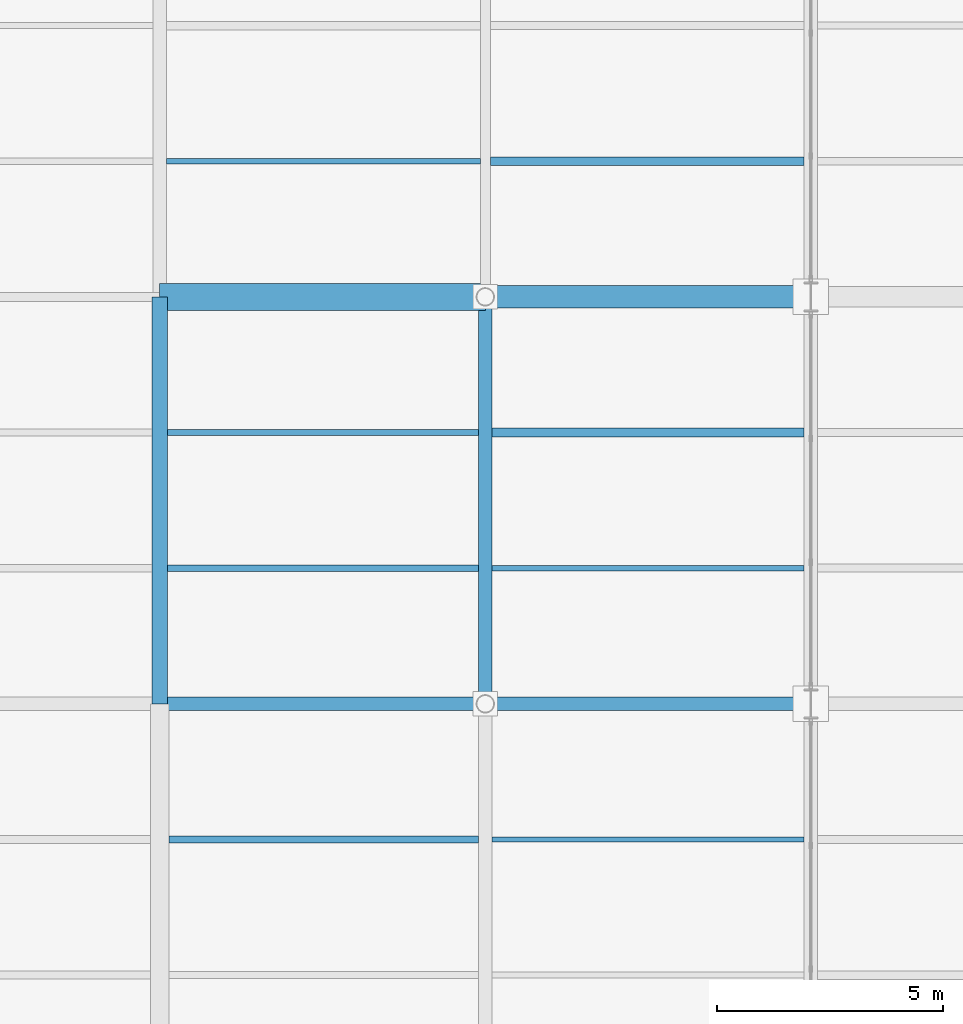
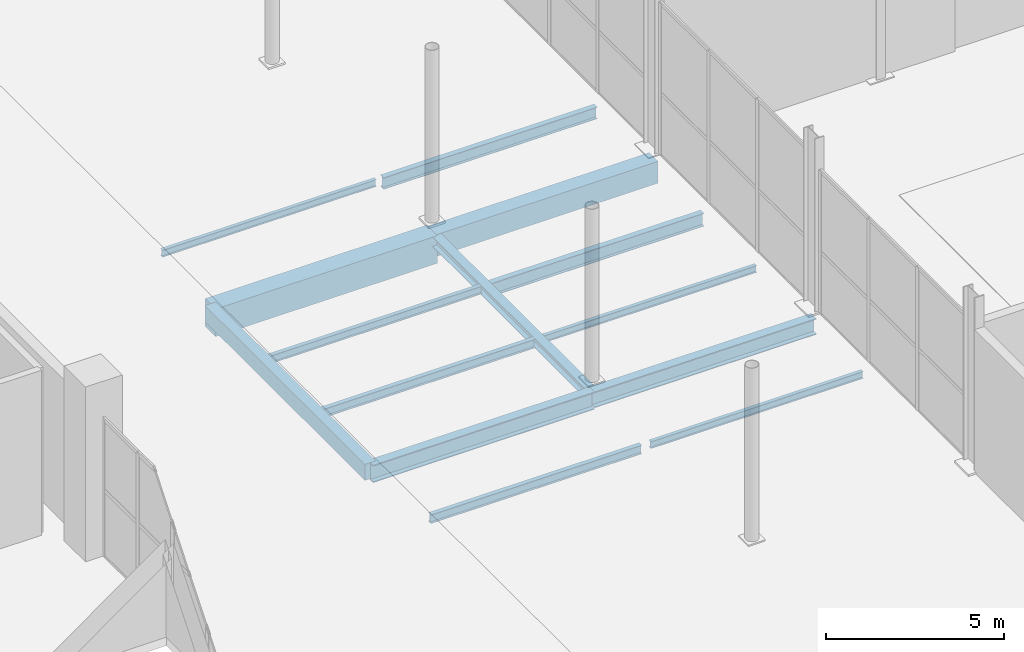
# One storey, part 41 of 144: 14 beams.
"""IFC4 building model written with IfcOpenShell, lengths in metres."""

from ifc_helpers import new_model, si_unit, direction, frame, origin, origin_2d, place, context, subcontext, project, spatial, rectangle, i_section, extrude, material, material_profile, profile_set, type_object, element, save


model = new_model("IFC4")

# Units and contexts
model_context = context("Model", 3, precision=1e-05, world=origin(), true_north=direction((0.0, 1.0)))
body_context = subcontext(model_context, "Body", "Model", "MODEL_VIEW")
ifc_project = project(units=[si_unit("LENGTHUNIT", "METRE"), si_unit("AREAUNIT", "SQUARE_METRE"), si_unit("VOLUMEUNIT", "CUBIC_METRE"), si_unit("PLANEANGLEUNIT", "RADIAN"), si_unit("MASSUNIT", "GRAM", prefix="KILO")], contexts=[model_context])

# Site, building, storey
site_placement = place(None, origin())
site = spatial("IfcSite", under=ifc_project, at=site_placement, CompositionType="ELEMENT")
building_placement = place(site_placement, origin())
building = spatial("IfcBuilding", under=site, at=building_placement, Name="Sundgate Opera House", CompositionType="ELEMENT")
storey_placement = place(building_placement, origin())
storey = spatial("IfcBuildingStorey", under=building, at=storey_placement, Name="L00", CompositionType="ELEMENT", Elevation=0.0)

# Beams
ifc_material_1 = material(Name="Steel S355J2", Category="steel")
ifc_material_profile_1 = material_profile(ifc_material_1, i_section(OverallWidth=0.300048828125, OverallDepth=0.330078125, WebThickness=0.009521484375, FlangeThickness=0.0166015625, at=origin_2d()), Name="HEA 340")
ifc_profile_set_1 = profile_set([ifc_material_profile_1], Name="Steel S355J2")
beam_type_1 = type_object("IfcBeamType", Name="BM-GR-HEA340", PredefinedType="BEAM", material=ifc_profile_set_1)
beam_1_placement = place(storey_placement, frame((88.199951171875, 51.0, -0.485107421875), z_axis=(0.0, 1.0, 0.0), x_axis=(-1.0, 0.0, 0.0)))
element("IfcBeam", 1, at=beam_1_placement, inside=storey, type_object=beam_type_1, Name="L00 Primary N-S Girder B0182", PredefinedType="BEAM", context=body_context, shape_type="SweptSolid", body=[
    extrude(i_section(OverallWidth=0.300048828125, OverallDepth=0.330078125, WebThickness=0.009521484375, FlangeThickness=0.0166015625, at=origin_2d()), origin(), (0.0, 0.0, 1.0), 9.0),
])
ifc_material_2 = material(Name="Steel S355J2", Category="steel")
ifc_material_profile_2 = material_profile(ifc_material_2, i_section(OverallWidth=0.300048828125, OverallDepth=0.550048828125, WebThickness=0.014892578125, FlangeThickness=0.029052734375, at=origin_2d()), Name="HEB 550")
ifc_profile_set_2 = profile_set([ifc_material_profile_2], Name="Steel S355J2")
beam_type_2 = type_object("IfcBeamType", Name="BM-GR-HEB550", PredefinedType="BEAM", material=ifc_profile_set_2)
beam_2_placement = place(storey_placement, frame((88.199951171875, 51.0, -0.594970703125), z_axis=(1.0, 0.0, 0.0), x_axis=(0.0, 1.0, 0.0)))
element("IfcBeam", 2, at=beam_2_placement, inside=storey, type_object=beam_type_2, Name="L00 Primary E-W Girder B0435", PredefinedType="BEAM", context=body_context, shape_type="SweptSolid", body=[
    extrude(i_section(OverallWidth=0.300048828125, OverallDepth=0.550048828125, WebThickness=0.014892578125, FlangeThickness=0.029052734375, at=origin_2d()), origin(), (0.0, 0.0, 1.0), 7.199951171875),
])
ifc_material_3 = material(Name="Steel S355J2", Category="steel")
ifc_material_profile_3 = material_profile(ifc_material_3, i_section(OverallWidth=0.300048828125, OverallDepth=0.60009765625, WebThickness=0.015380859375, FlangeThickness=0.030029296875, at=origin_2d()), Name="HEB 600")
ifc_profile_set_3 = profile_set([ifc_material_profile_3], Name="Steel S355J2")
beam_type_3 = type_object("IfcBeamType", Name="BM-GR-HEB600", PredefinedType="BEAM", material=ifc_profile_set_3)
beam_3_placement = place(storey_placement, frame((81.0, 51.0, -0.6201171875), z_axis=(1.0, 0.0, 0.0), x_axis=(0.0, 1.0, 0.0)))
element("IfcBeam", 3, at=beam_3_placement, inside=storey, type_object=beam_type_3, Name="L00 Primary E-W Girder B0434", PredefinedType="BEAM", context=body_context, shape_type="SweptSolid", body=[
    extrude(i_section(OverallWidth=0.300048828125, OverallDepth=0.60009765625, WebThickness=0.015380859375, FlangeThickness=0.030029296875, at=origin_2d()), origin(), (0.0, 0.0, 1.0), 7.199951171875),
])
ifc_material_4 = material(Name="Steel S355J2", Category="steel")
ifc_material_profile_4 = material_profile(ifc_material_4, i_section(OverallWidth=0.1201171875, OverallDepth=0.239990234375, WebThickness=0.006103515625, FlangeThickness=0.009765625, at=origin_2d()), Name="IPE 240")
ifc_profile_set_4 = profile_set([ifc_material_profile_4], Name="Steel S355J2")
beam_type_4 = type_object("IfcBeamType", Name="BM-JS-IPE240", PredefinedType="JOIST", material=ifc_profile_set_4)
for number, where, z_axis, x_axis, name in (
    (4, (88.35009765625, 48.0, -0.43994140625), (1.0, 0.0, 0.0), (0.0, 1.0, 0.0), "L00 Secondary Floor Joist B0762"),
    (5, (88.35009765625, 54.0, -0.43994140625), (1.0, 0.0, 0.0), (0.0, 1.0, 0.0), "L00 Secondary Floor Joist B0790"),
):
    element("IfcBeam", number, at=place(storey_placement, frame(where, z_axis=z_axis, x_axis=x_axis)), inside=storey, type_object=beam_type_4, Name=name, PredefinedType="JOIST", context=body_context, shape_type="SweptSolid", body=[
        extrude(i_section(OverallWidth=0.1201171875, OverallDepth=0.239990234375, WebThickness=0.006103515625, FlangeThickness=0.009765625, at=origin_2d()), origin(), (0.0, 0.0, 1.0), 6.89990234375),
    ])
beam_4_placement = place(storey_placement, frame((81.14990234375, 63.0, -0.43994140625), z_axis=(1.0, 0.0, 0.0), x_axis=(0.0, 1.0, 0.0)))
element("IfcBeam", 6, at=beam_4_placement, inside=storey, type_object=beam_type_4, Name="L00 Secondary Floor Joist B0818", PredefinedType="JOIST", context=body_context, shape_type="SweptSolid", body=[
    extrude(i_section(OverallWidth=0.1201171875, OverallDepth=0.239990234375, WebThickness=0.006103515625, FlangeThickness=0.009765625, at=origin_2d()), origin(), (0.0, 0.0, 1.0), 6.940185546875),
])
ifc_material_5 = material(Name="Steel S355J2", Category="steel")
ifc_material_profile_5 = material_profile(ifc_material_5, i_section(OverallWidth=0.135009765625, OverallDepth=0.27001953125, WebThickness=0.006591796875, FlangeThickness=0.01025390625, at=origin_2d()), Name="IPE 270")
ifc_profile_set_5 = profile_set([ifc_material_profile_5], Name="Steel S355J2")
beam_type_5 = type_object("IfcBeamType", Name="BM-JS-IPE270", PredefinedType="JOIST", material=ifc_profile_set_5)
beam_5_placement = place(storey_placement, frame((81.175048828125, 57.0, -0.455078125), z_axis=(1.0, 0.0, 0.0), x_axis=(0.0, 1.0, 0.0)))
element("IfcBeam", 7, at=beam_5_placement, inside=storey, type_object=beam_type_5, Name="L00 Secondary Floor Joist B0789", PredefinedType="JOIST", context=body_context, shape_type="SweptSolid", body=[
    extrude(i_section(OverallWidth=0.135009765625, OverallDepth=0.27001953125, WebThickness=0.006591796875, FlangeThickness=0.01025390625, at=origin_2d()), origin(), (0.0, 0.0, 1.0), 6.875),
])
ifc_material_6 = material(Name="Steel S355J2", Category="steel")
ifc_material_profile_6 = material_profile(ifc_material_6, i_section(OverallWidth=0.14990234375, OverallDepth=0.300048828125, WebThickness=0.007080078125, FlangeThickness=0.0107421875, at=origin_2d()), Name="IPE 300")
ifc_profile_set_6 = profile_set([ifc_material_profile_6], Name="Steel S355J2")
beam_type_6 = type_object("IfcBeamType", Name="BM-JS-IPE300", PredefinedType="JOIST", material=ifc_profile_set_6)
beam_6_placement = place(storey_placement, frame((81.199951171875, 48.0, -0.469970703125), z_axis=(1.0, 0.0, 0.0), x_axis=(0.0, 1.0, 0.0)))
element("IfcBeam", 8, at=beam_6_placement, inside=storey, type_object=beam_type_6, Name="L00 Secondary Floor Joist B0760", PredefinedType="JOIST", context=body_context, shape_type="SweptSolid", body=[
    extrude(i_section(OverallWidth=0.14990234375, OverallDepth=0.300048828125, WebThickness=0.007080078125, FlangeThickness=0.0107421875, at=origin_2d()), origin(), (0.0, 0.0, 1.0), 6.85009765625),
])
beam_7_placement = place(storey_placement, frame((81.175048828125, 54.0, -0.469970703125), z_axis=(1.0, 0.0, 0.0), x_axis=(0.0, 1.0, 0.0)))
element("IfcBeam", 9, at=beam_7_placement, inside=storey, type_object=beam_type_6, Name="L00 Secondary Floor Joist B0788", PredefinedType="JOIST", context=body_context, shape_type="SweptSolid", body=[
    extrude(i_section(OverallWidth=0.14990234375, OverallDepth=0.300048828125, WebThickness=0.007080078125, FlangeThickness=0.0107421875, at=origin_2d()), origin(), (0.0, 0.0, 1.0), 6.875),
])
ifc_material_7 = material(Name="Steel S355J2", Category="steel")
ifc_material_profile_7 = material_profile(ifc_material_7, i_section(OverallWidth=0.179931640625, OverallDepth=0.39990234375, WebThickness=0.008544921875, FlangeThickness=0.013427734375, at=origin_2d()), Name="IPE 400")
ifc_profile_set_7 = profile_set([ifc_material_profile_7], Name="Steel S355J2")
beam_type_7 = type_object("IfcBeamType", Name="BM-JS-IPE400", PredefinedType="JOIST", material=ifc_profile_set_7)
beam_8_placement = place(storey_placement, frame((88.31005859375, 63.0, -0.52001953125), z_axis=(1.0, 0.0, 0.0), x_axis=(0.0, 1.0, 0.0)))
element("IfcBeam", 10, at=beam_8_placement, inside=storey, type_object=beam_type_7, Name="L00 Secondary Floor Joist B0820", PredefinedType="JOIST", context=body_context, shape_type="SweptSolid", body=[
    extrude(i_section(OverallWidth=0.179931640625, OverallDepth=0.39990234375, WebThickness=0.008544921875, FlangeThickness=0.013427734375, at=origin_2d()), origin(), (0.0, 0.0, 1.0), 6.93994140625),
])
ifc_material_8 = material(Name="Steel S355J2", Category="steel")
ifc_material_profile_8 = material_profile(ifc_material_8, i_section(OverallWidth=0.18994140625, OverallDepth=0.449951171875, WebThickness=0.009521484375, FlangeThickness=0.0146484375, at=origin_2d()), Name="IPE 450")
ifc_profile_set_8 = profile_set([ifc_material_profile_8], Name="Steel S355J2")
beam_type_8 = type_object("IfcBeamType", Name="BM-JS-IPE450", PredefinedType="JOIST", material=ifc_profile_set_8)
beam_9_placement = place(storey_placement, frame((88.35009765625, 57.0, -0.544921875), z_axis=(1.0, 0.0, 0.0), x_axis=(0.0, 1.0, 0.0)))
element("IfcBeam", 11, at=beam_9_placement, inside=storey, type_object=beam_type_8, Name="L00 Secondary Floor Joist B0791", PredefinedType="JOIST", context=body_context, shape_type="SweptSolid", body=[
    extrude(i_section(OverallWidth=0.18994140625, OverallDepth=0.449951171875, WebThickness=0.009521484375, FlangeThickness=0.0146484375, at=origin_2d()), origin(), (0.0, 0.0, 1.0), 6.89990234375),
])
ifc_material_9 = material(Name="Concrete C35/45", Category="concrete")
ifc_material_profile_9 = material_profile(ifc_material_9, rectangle(XDim=0.35009765625, YDim=0.550048828125, at=origin_2d()), Name="RC 350x550")
ifc_profile_set_9 = profile_set([ifc_material_profile_9], Name="Concrete C35/45")
beam_type_9 = type_object("IfcBeamType", Name="BM-RC-350x550", PredefinedType="BEAM", material=ifc_profile_set_9)
beam_10_placement = place(storey_placement, frame((81.0, 51.0, -0.594970703125), z_axis=(0.0, 1.0, 0.0), x_axis=(-1.0, 0.0, 0.0)))
element("IfcBeam", 12, at=beam_10_placement, inside=storey, type_object=beam_type_9, Name="L00 Primary N-S Girder B0168", PredefinedType="BEAM", context=body_context, shape_type="SweptSolid", body=[
    extrude(rectangle(XDim=0.35009765625, YDim=0.550048828125, at=origin_2d()), origin(), (0.0, 0.0, 1.0), 9.0),
])
ifc_material_10 = material(Name="Concrete C40/50", Category="concrete")
ifc_material_profile_10 = material_profile(ifc_material_10, rectangle(XDim=0.5, YDim=0.75, at=origin_2d()), Name="RC 500x750")
ifc_profile_set_10 = profile_set([ifc_material_profile_10], Name="Concrete C40/50")
beam_type_10 = type_object("IfcBeamType", Name="BM-RC-500x750", PredefinedType="BEAM", material=ifc_profile_set_10)
beam_11_placement = place(storey_placement, frame((88.199951171875, 60.0, -0.695068359375), z_axis=(1.0, 0.0, 0.0), x_axis=(0.0, 1.0, 0.0)))
element("IfcBeam", 13, at=beam_11_placement, inside=storey, type_object=beam_type_10, Name="L00 Primary E-W Girder B0450", PredefinedType="BEAM", context=body_context, shape_type="SweptSolid", body=[
    extrude(rectangle(XDim=0.5, YDim=0.75, at=origin_2d()), origin(), (0.0, 0.0, 1.0), 7.199951171875),
])
ifc_material_11 = material(Name="Concrete C40/50", Category="concrete")
ifc_material_profile_11 = material_profile(ifc_material_11, rectangle(XDim=0.60009765625, YDim=0.949951171875, at=origin_2d()), Name="RC 600x950")
ifc_profile_set_11 = profile_set([ifc_material_profile_11], Name="Concrete C40/50")
beam_type_11 = type_object("IfcBeamType", Name="BM-RC-600x950", PredefinedType="BEAM", material=ifc_profile_set_11)
beam_12_placement = place(storey_placement, frame((81.0, 60.0, -0.794921875), z_axis=(1.0, 0.0, 0.0), x_axis=(0.0, 1.0, 0.0)))
element("IfcBeam", 14, at=beam_12_placement, inside=storey, type_object=beam_type_11, Name="L00 Primary E-W Girder B0449", PredefinedType="BEAM", context=body_context, shape_type="SweptSolid", body=[
    extrude(rectangle(XDim=0.60009765625, YDim=0.949951171875, at=origin_2d()), origin(), (0.0, 0.0, 1.0), 7.199951171875),
])

save(model, "model.ifc")
